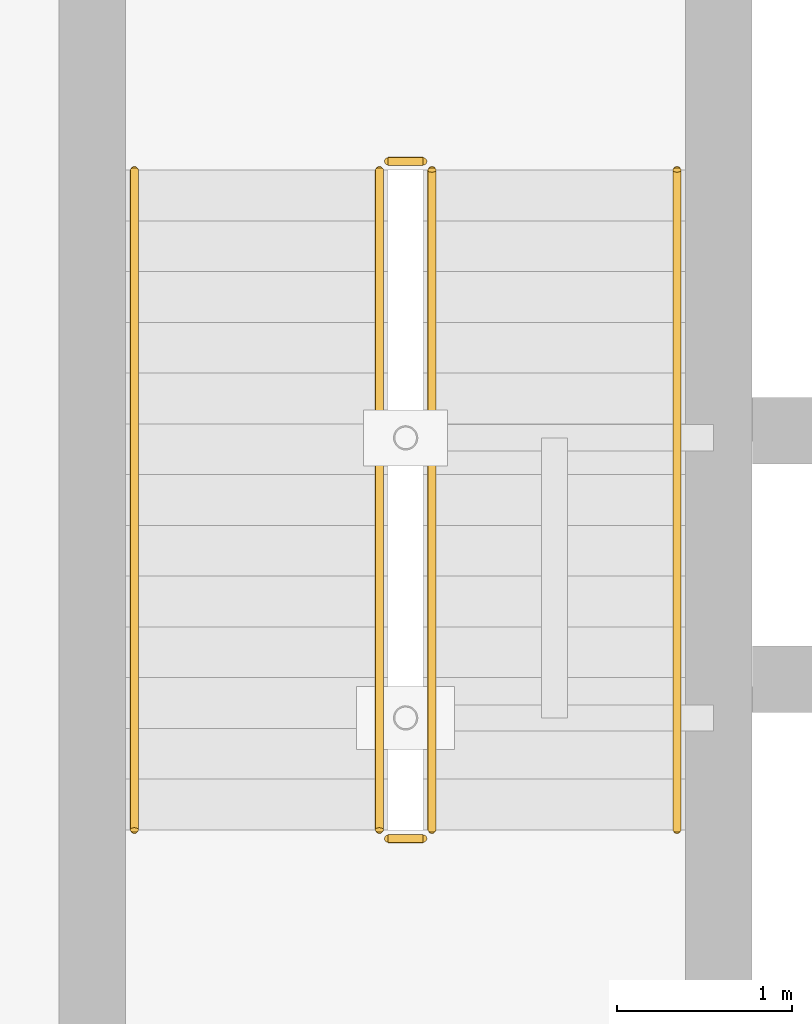
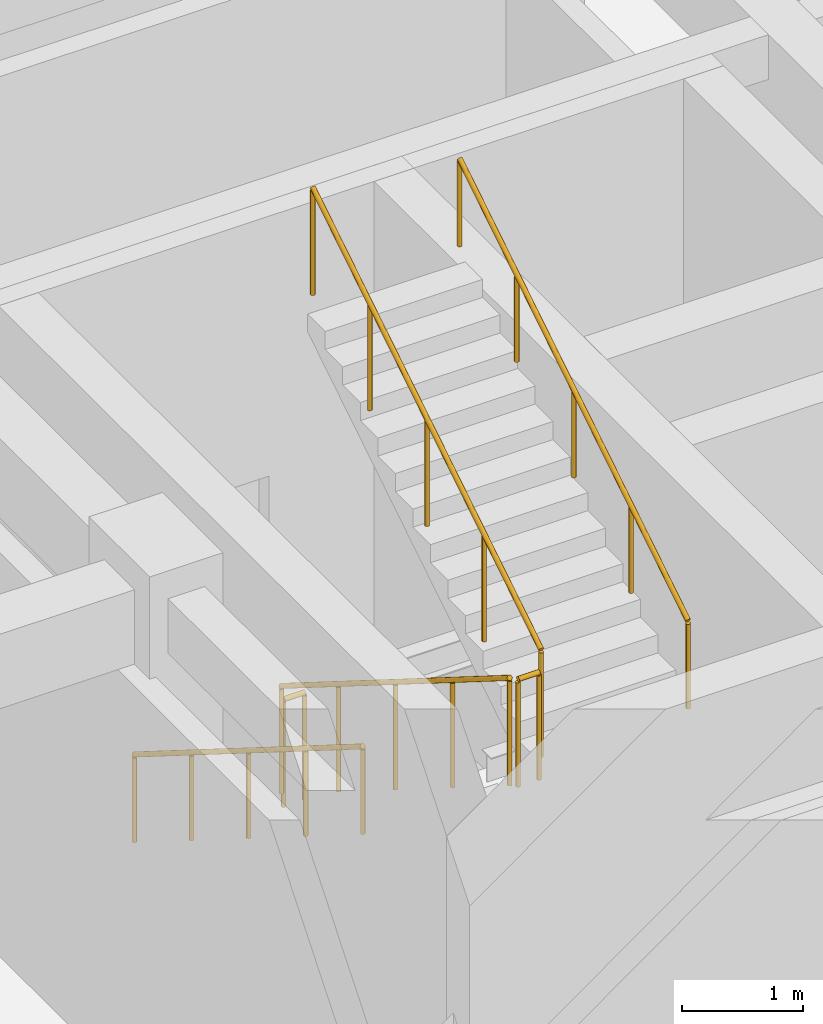
# One storey, part 104 of 106: 6 railings.
"""IFC4 building model written with IfcOpenShell, lengths in metres."""

from ifc_helpers import new_model, si_unit, direction, frame, origin, origin_2d, place, context, subcontext, project, spatial, circle, extrude, material, type_object, element, save


model = new_model("IFC4")

# Units and contexts
model_context = context("Model", 3, precision=1e-05, world=origin(), true_north=direction((0.0, 1.0)))
body_context = subcontext(model_context, "Body", "Model", "MODEL_VIEW")
ifc_project = project(units=[si_unit("LENGTHUNIT", "METRE"), si_unit("AREAUNIT", "SQUARE_METRE"), si_unit("VOLUMEUNIT", "CUBIC_METRE"), si_unit("PLANEANGLEUNIT", "RADIAN"), si_unit("MASSUNIT", "GRAM", prefix="KILO")], contexts=[model_context])

# Site, building, storey
site_placement = place(None, origin())
site = spatial("IfcSite", under=ifc_project, at=site_placement, CompositionType="ELEMENT")
building_placement = place(site_placement, origin())
building = spatial("IfcBuilding", under=site, at=building_placement, Name="Krzemoval Escarpment Law Courts", CompositionType="ELEMENT")
storey_placement = place(building_placement, frame((0.0, 0.0, 5.10009765625)))
storey = spatial("IfcBuildingStorey", under=building, at=storey_placement, Name="L01", CompositionType="ELEMENT", Elevation=5.10009765625)

# Railings
ifc_material_1 = material(Name="Galvanised Steel S355", Category="steel")
railing_type_1 = type_object("IfcRailingType", Name="RL-GRD-1100", PredefinedType="GUARDRAIL", material=ifc_material_1)
railing_1_placement = place(storey_placement, frame((111.75, 29.35009765625, 0.18212890625)))
element("IfcRailing", 1, at=railing_1_placement, inside=storey, type_object=railing_type_1, Name="L01 ST6 stair guard 1", PredefinedType="GUARDRAIL", context=body_context, shape_type="SweptSolid", body=[
    extrude(circle(Radius=0.02392578125, at=origin_2d()), frame((0.0, 0.0, 1.076171875), z_axis=(0.0, -0.846844037257, 0.531841307688), x_axis=(1.0, 0.0, 0.0)), (0.0, 0.0, 1.0), 4.451904296875),
    extrude(circle(Radius=0.02099609375, at=origin_2d()), origin(), (0.0, 0.0, 1.0), 1.052001953125),
    extrude(circle(Radius=0.02099609375, at=origin_2d()), frame((0.0, -0.9423828125, 0.591796875)), (0.0, 0.0, 1.0), 1.052001953125),
    extrude(circle(Radius=0.02099609375, at=origin_2d()), frame((0.0, -1.885009765625, 1.183837890625)), (0.0, 0.0, 1.0), 1.052001953125),
    extrude(circle(Radius=0.02099609375, at=origin_2d()), frame((0.0, -2.82763671875, 1.77587890625)), (0.0, 0.0, 1.0), 1.052001953125),
    extrude(circle(Radius=0.02099609375, at=origin_2d()), frame((0.0, -3.77001953125, 2.36767578125)), (0.0, 0.0, 1.0), 1.052001953125),
])
railing_2_placement = place(storey_placement, frame((111.800048828125, 25.530029296875, 2.5498046875)))
element("IfcRailing", 2, at=railing_2_placement, inside=storey, type_object=railing_type_1, Name="L01 ST6 stair guard 2", PredefinedType="GUARDRAIL", context=body_context, shape_type="SweptSolid", body=[
    extrude(circle(Radius=0.02392578125, at=origin_2d()), frame((0.0, 0.0, 1.076171875), z_axis=(1.0, 0.0, 0.0), x_axis=(0.0, 1.0, 0.0)), (0.0, 0.0, 1.0), 0.199951171875),
    extrude(circle(Radius=0.02099609375, at=origin_2d()), origin(), (0.0, 0.0, 1.0), 1.052001953125),
    extrude(circle(Radius=0.02099609375, at=origin_2d()), frame((0.199951171875, 0.0, 0.0)), (0.0, 0.0, 1.0), 1.052001953125),
])
railing_3_placement = place(storey_placement, frame((112.050048828125, 25.580078125, 2.73193359375)))
element("IfcRailing", 3, at=railing_3_placement, inside=storey, type_object=railing_type_1, Name="L01 ST6 stair guard 3", PredefinedType="GUARDRAIL", context=body_context, shape_type="SweptSolid", body=[
    extrude(circle(Radius=0.02392578125, at=origin_2d()), frame((0.0, 0.0, 1.076171875), z_axis=(0.0, 0.846819337722, 0.53188063441), x_axis=(-1.0, 0.0, 0.0)), (0.0, 0.0, 1.0), 4.451904296875),
    extrude(circle(Radius=0.02099609375, at=origin_2d()), origin(), (0.0, 0.0, 1.0), 1.052001953125),
    extrude(circle(Radius=0.02099609375, at=origin_2d()), frame((0.0, 0.9423828125, 0.592041015625)), (0.0, 0.0, 1.0), 1.052001953125),
    extrude(circle(Radius=0.02099609375, at=origin_2d()), frame((0.0, 1.885009765625, 1.18408203125)), (0.0, 0.0, 1.0), 1.052001953125),
    extrude(circle(Radius=0.02099609375, at=origin_2d()), frame((0.0, 2.82763671875, 1.77587890625)), (0.0, 0.0, 1.0), 1.052001953125),
    extrude(circle(Radius=0.02099609375, at=origin_2d()), frame((0.0, 3.77001953125, 2.367919921875)), (0.0, 0.0, 1.0), 1.052001953125),
])
railing_4_placement = place(storey_placement, frame((111.800048828125, 29.39990234375, 0.0)))
element("IfcRailing", 4, at=railing_4_placement, inside=storey, type_object=railing_type_1, Name="L01 ST6 stair guard 4", PredefinedType="GUARDRAIL", context=body_context, shape_type="SweptSolid", body=[
    extrude(circle(Radius=0.02392578125, at=origin_2d()), frame((0.0, 0.0, 1.076171875), z_axis=(1.0, 0.0, 0.0), x_axis=(0.0, 1.0, 0.0)), (0.0, 0.0, 1.0), 0.199951171875),
    extrude(circle(Radius=0.02099609375, at=origin_2d()), origin(), (0.0, 0.0, 1.0), 1.052001953125),
    extrude(circle(Radius=0.02099609375, at=origin_2d()), frame((0.199951171875, 0.0, 0.0)), (0.0, 0.0, 1.0), 1.052001953125),
])
ifc_material_2 = material(Name="Brushed Stainless Steel Grade 304 Handrail", Category="steel")
railing_type_2 = type_object("IfcRailingType", Name="RL-HND-900", PredefinedType="HANDRAIL", material=ifc_material_2)
railing_5_placement = place(storey_placement, frame((110.35009765625, 29.35009765625, 0.18212890625)))
element("IfcRailing", 5, at=railing_5_placement, inside=storey, type_object=railing_type_2, Name="L01 ST6 stair handrail 1", PredefinedType="HANDRAIL", context=body_context, shape_type="SweptSolid", body=[
    extrude(circle(Radius=0.02392578125, at=origin_2d()), frame((0.0, 0.0, 0.8759765625), z_axis=(0.0, -0.846844037257, 0.531841307688), x_axis=(1.0, 0.0, 0.0)), (0.0, 0.0, 1.0), 4.451904296875),
    extrude(circle(Radius=0.02099609375, at=origin_2d()), origin(), (0.0, 0.0, 1.0), 0.851806640625),
    extrude(circle(Radius=0.02099609375, at=origin_2d()), frame((0.0, -0.9423828125, 0.591796875)), (0.0, 0.0, 1.0), 0.851806640625),
    extrude(circle(Radius=0.02099609375, at=origin_2d()), frame((0.0, -1.885009765625, 1.183837890625)), (0.0, 0.0, 1.0), 0.851806640625),
    extrude(circle(Radius=0.02099609375, at=origin_2d()), frame((0.0, -2.82763671875, 1.77587890625)), (0.0, 0.0, 1.0), 0.851806640625),
    extrude(circle(Radius=0.02099609375, at=origin_2d()), frame((0.0, -3.77001953125, 2.36767578125)), (0.0, 0.0, 1.0), 0.851806640625),
])
railing_6_placement = place(storey_placement, frame((113.449951171875, 25.580078125, 2.73193359375)))
element("IfcRailing", 6, at=railing_6_placement, inside=storey, type_object=railing_type_2, Name="L01 ST6 stair handrail 2", PredefinedType="HANDRAIL", context=body_context, shape_type="SweptSolid", body=[
    extrude(circle(Radius=0.02392578125, at=origin_2d()), frame((0.0, 0.0, 0.8759765625), z_axis=(0.0, 0.846819337722, 0.53188063441), x_axis=(-1.0, 0.0, 0.0)), (0.0, 0.0, 1.0), 4.451904296875),
    extrude(circle(Radius=0.02099609375, at=origin_2d()), origin(), (0.0, 0.0, 1.0), 0.851806640625),
    extrude(circle(Radius=0.02099609375, at=origin_2d()), frame((0.0, 0.9423828125, 0.592041015625)), (0.0, 0.0, 1.0), 0.851806640625),
    extrude(circle(Radius=0.02099609375, at=origin_2d()), frame((0.0, 1.885009765625, 1.18408203125)), (0.0, 0.0, 1.0), 0.851806640625),
    extrude(circle(Radius=0.02099609375, at=origin_2d()), frame((0.0, 2.82763671875, 1.77587890625)), (0.0, 0.0, 1.0), 0.851806640625),
    extrude(circle(Radius=0.02099609375, at=origin_2d()), frame((0.0, 3.77001953125, 2.367919921875)), (0.0, 0.0, 1.0), 0.851806640625),
])

save(model, "model.ifc")
